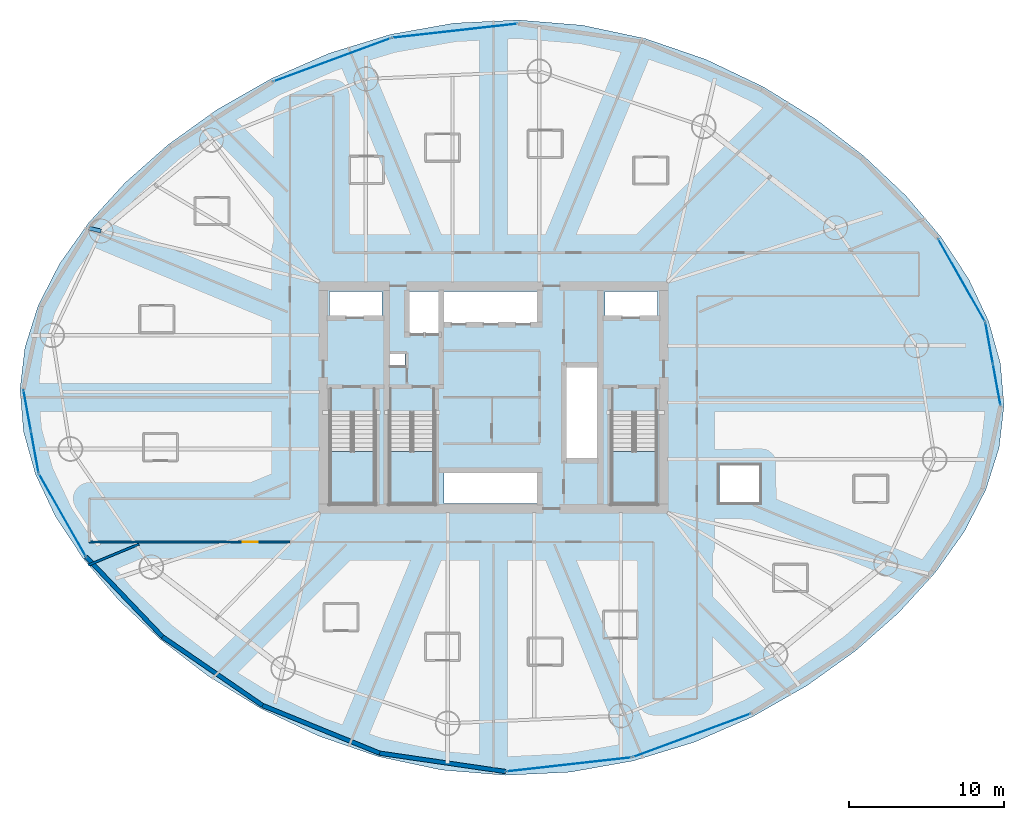
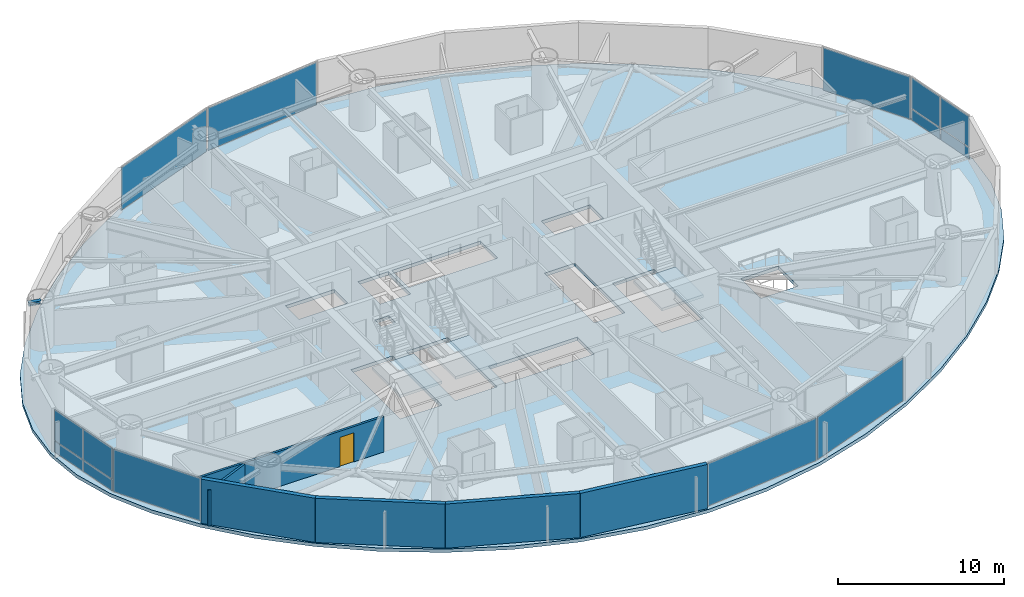
# One storey, part 18 of 27: 14 plates, 6 walls, 4 slabs, 1 beam, 1 door, 1 opening, 11 elements without a shape of their own.
"""IFC4 building model written with IfcOpenShell, lengths in metres."""

import ifcopenshell
import ifcopenshell.guid

model = None  # the IFC model being written
_history = None  # IfcOwnerHistory: only IFC2X3 demands one
_inside = {}  # id of a spatial element -> (the spatial element, [elements in it])
_under = {}  # id of a project, library or spatial element -> (it, [spatial elements below it])
_declared = {}  # id of a project -> (the project, [libraries it declares])
_typed = {}  # id of a type object -> (the type object, [elements of that type])
_made_of = {}  # id of a material, layer set ... -> (it, [elements and type objects made of it])


def new_model(schema):
    """Start an empty IFC model of exactly this schema.

    Asked for "IFC4X3", IfcOpenShell would pick the latest addendum, in which some entities
    have other attributes; the version numbers below select the first issue.
    IFC2X3 requires an IfcOwnerHistory on every rooted entity: one is made here for all.
    """
    global model, _history
    if schema == "IFC4X3":
        model = ifcopenshell.file(schema_version=(4, 3, 0, 0))
    else:
        model = ifcopenshell.file(schema=schema)
    _inside.clear()
    _under.clear()
    _declared.clear()
    _typed.clear()
    _made_of.clear()
    _history = None
    if model.schema == "IFC2X3":
        org = make("IfcOrganization", Name="unknown")
        user = make(
            "IfcPersonAndOrganization",
            ThePerson=make("IfcPerson", FamilyName="unknown"),
            TheOrganization=org,
        )
        app = make(
            "IfcApplication",
            ApplicationDeveloper=org,
            Version="unknown",
            ApplicationFullName="unknown",
            ApplicationIdentifier="unknown",
        )
        _history = make(
            "IfcOwnerHistory",
            OwningUser=user,
            OwningApplication=app,
            ChangeAction="ADDED",
            CreationDate=0,
        )
    return model


def make(cls, **values):
    """One entity of the class cls with the attributes given. An attribute that is None is left unset."""
    return model.create_entity(
        cls, **{name: value for name, value in values.items() if value is not None}
    )


def rooted(cls, **values):
    """An entity with a GlobalId (a new one), such as an element, a storey or a relation."""
    return make(cls, GlobalId=ifcopenshell.guid.new(), OwnerHistory=_history, **values)


def si_unit(unit_type, name, prefix=None):
    """IfcSIUnit, for example si_unit("LENGTHUNIT", "METRE", prefix="MILLI")."""
    return make("IfcSIUnit", UnitType=unit_type, Prefix=prefix, Name=name)


def assignment(units):
    """IfcUnitAssignment: the units of a project."""
    return None if units is None else make("IfcUnitAssignment", Units=units)


def point(xyz):
    """IfcCartesianPoint."""
    return None if xyz is None else make("IfcCartesianPoint", Coordinates=xyz)


def direction(xyz):
    """IfcDirection."""
    return None if xyz is None else make("IfcDirection", DirectionRatios=xyz)


def frame(location, z_axis=None, x_axis=None):
    """IfcAxis2Placement3D, a coordinate frame: its origin and axes. An axis left out is left unset."""
    return make(
        "IfcAxis2Placement3D",
        Location=point(location),
        Axis=direction(z_axis),
        RefDirection=direction(x_axis),
    )


def frame_2d(location, x_axis=None):
    """IfcAxis2Placement2D, a coordinate frame in the plane: its origin and x axis."""
    return make(
        "IfcAxis2Placement2D", Location=point(location), RefDirection=direction(x_axis)
    )


def origin():
    """The frame at (0, 0, 0) with its axes left unset."""
    return frame((0.0, 0.0, 0.0))


def origin_2d():
    """The frame at (0, 0) in the plane with its x axis left unset."""
    return frame_2d((0.0, 0.0))


def place(relative_to, where):
    """IfcLocalPlacement: puts the frame where relative to a parent placement (None: the world)."""
    return make(
        "IfcLocalPlacement", PlacementRelTo=relative_to, RelativePlacement=where
    )


def context(
    kind, dimensions, precision=None, world=None, true_north=None, identifier=None
):
    """IfcGeometricRepresentationContext, for example the 3D "Model" context."""
    return make(
        "IfcGeometricRepresentationContext",
        ContextIdentifier=identifier,
        ContextType=kind,
        CoordinateSpaceDimension=dimensions,
        Precision=precision,
        WorldCoordinateSystem=world,
        TrueNorth=true_north,
    )


def subcontext(parent, identifier, kind, view, scale=None):
    """IfcGeometricRepresentationSubContext, for example "Body" below "Model"."""
    return make(
        "IfcGeometricRepresentationSubContext",
        ContextIdentifier=identifier,
        ContextType=kind,
        ParentContext=parent,
        TargetScale=scale,
        TargetView=view,
    )


def project(units=None, contexts=None):
    """IfcProject with its units and contexts."""
    return rooted(
        "IfcProject",
        Name="project",
        RepresentationContexts=contexts,
        UnitsInContext=assignment(units),
    )


def spatial(cls, under=None, at=None, **own):
    """A site, building, storey or space (cls), placed at a placement, below another one or the project."""
    s = rooted(cls, ObjectPlacement=at, **own)
    if under is not None:
        _under.setdefault(under.id(), (under, []))[1].append(s)
    return s


def polyline(points):
    """IfcPolyline through the points."""
    return make("IfcPolyline", Points=[point(p) for p in points])


def profile(cls, at=None, kind="AREA", **sizes):
    """A parametric profile (cls). Its sizes go by their IFC names, for example OverallWidth=200.0."""
    return make(cls, ProfileType=kind, Position=at, **sizes)


def rectangle(**sizes):
    """IfcRectangleProfileDef."""
    return profile("IfcRectangleProfileDef", **sizes)


def i_section(**sizes):
    """IfcIShapeProfileDef."""
    return profile("IfcIShapeProfileDef", **sizes)


def outline(outer, holes=None, kind="AREA"):
    """IfcArbitraryClosedProfileDef: a profile drawn as a closed curve; with holes, ...WithVoids."""
    if holes is None:
        return make("IfcArbitraryClosedProfileDef", ProfileType=kind, OuterCurve=outer)
    return make(
        "IfcArbitraryProfileDefWithVoids",
        ProfileType=kind,
        OuterCurve=outer,
        InnerCurves=holes,
    )


def extrude(swept, where, along, depth):
    """IfcExtrudedAreaSolid: the profile swept, set in the frame where, extruded along a direction by depth."""
    return make(
        "IfcExtrudedAreaSolid",
        SweptArea=swept,
        Position=where,
        ExtrudedDirection=direction(along),
        Depth=depth,
    )


def shape(context_of_items, identifier, shape_type, items):
    """IfcShapeRepresentation: the items that make up one representation, for example the "Body"."""
    return make(
        "IfcShapeRepresentation",
        ContextOfItems=context_of_items,
        RepresentationIdentifier=identifier,
        RepresentationType=shape_type,
        Items=items,
    )


def material(Name=None, Category=None):
    """IfcMaterial."""
    return make("IfcMaterial", Name=Name, Category=Category)


def layer(
    of_material, thickness, ventilated=None, Name=None, Category=None, Priority=None
):
    """IfcMaterialLayer: one layer of a wall or slab, of a material (None: an air gap)."""
    return make(
        "IfcMaterialLayer",
        Material=of_material,
        LayerThickness=thickness,
        IsVentilated=ventilated,
        Name=Name,
        Category=Category,
        Priority=Priority,
    )


def layer_set(layers, Name=None):
    """IfcMaterialLayerSet."""
    return make("IfcMaterialLayerSet", MaterialLayers=layers, LayerSetName=Name)


def material_profile(
    of_material, cross_section, Name=None, Category=None, Priority=None
):
    """IfcMaterialProfile: a cross section and its material."""
    return make(
        "IfcMaterialProfile",
        Name=Name,
        Material=of_material,
        Profile=cross_section,
        Priority=Priority,
        Category=Category,
    )


def profile_set(profiles, Name=None, composite=None):
    """IfcMaterialProfileSet."""
    return make(
        "IfcMaterialProfileSet",
        Name=Name,
        MaterialProfiles=profiles,
        CompositeProfile=composite,
    )


def made_of(thing, what):
    """Note that an element or type object is made of a material, layer set ...; save() writes the relation."""
    if what is not None:
        _made_of.setdefault(what.id(), (what, []))[1].append(thing)
    return thing


def type_object(cls, material=None, **own):
    """A type object (cls), such as IfcWallType, which elements share."""
    return made_of(rooted(cls, **own), material)


def element(
    cls,
    number,
    at=None,
    inside=None,
    cuts=None,
    type_object=None,
    material=None,
    context=None,
    identifier="Body",
    shape_type=None,
    held_by="IfcProductDefinitionShape",
    body=None,
    shapes=None,
    **own,
):
    """One element of the class cls, such as IfcWall. Its Tag is "e" and its number.

    at: its placement. inside: the storey or other place that contains it. cuts: it is an
    opening in that element (IfcRelVoidsElement). A single representation is given by context,
    identifier, shape_type and body (its items); several are given by shapes. held_by: the class
    of the entity that holds the representations. save() writes the other relations.
    """
    e = rooted(cls, Tag="e%d" % number, ObjectPlacement=at, **own)
    if body is not None:
        shapes = [shape(context, identifier, shape_type, body)]
    if shapes is not None:
        e.Representation = make(held_by, Representations=shapes)
    if inside is not None:
        _inside.setdefault(inside.id(), (inside, []))[1].append(e)
    if cuts is not None:
        rooted(
            "IfcRelVoidsElement", RelatingBuildingElement=cuts, RelatedOpeningElement=e
        )
    if type_object is not None:
        _typed.setdefault(type_object.id(), (type_object, []))[1].append(e)
    return made_of(e, material)


def fill(opening, filler):
    """IfcRelFillsElement: the door or window that sits in an opening."""
    return rooted(
        "IfcRelFillsElement",
        RelatingOpeningElement=opening,
        RelatedBuildingElement=filler,
    )


def aggregate(whole, parts):
    """IfcRelAggregates: a whole, such as a stair, and the parts it consists of."""
    return rooted("IfcRelAggregates", RelatingObject=whole, RelatedObjects=parts)


def save(model, path):
    """Write the relations noted so far, then the file.

    IfcRelAggregates (storeys below a building ...), IfcRelContainedInSpatialStructure (elements
    in a storey), IfcRelDefinesByType, IfcRelAssociatesMaterial and IfcRelDeclares: one each for
    every whole, place, type object, material and project.
    """
    for whole, parts in _under.values():
        aggregate(whole, parts)
    for where, things in _inside.values():
        rooted(
            "IfcRelContainedInSpatialStructure",
            RelatedElements=things,
            RelatingStructure=where,
        )
    for kind, things in _typed.values():
        rooted("IfcRelDefinesByType", RelatedObjects=things, RelatingType=kind)
    for what, things in _made_of.values():
        rooted("IfcRelAssociatesMaterial", RelatedObjects=things, RelatingMaterial=what)
    for by, libraries in _declared.values():
        rooted("IfcRelDeclares", RelatingContext=by, RelatedDefinitions=libraries)
    model.write(path)


model = new_model("IFC4")

# Units and contexts
model_context = context("Model", 3, precision=1e-05, world=origin(), true_north=direction((0.0, 1.0)))
body_context = subcontext(model_context, "Body", "Model", "MODEL_VIEW")
ifc_project = project(units=[si_unit("LENGTHUNIT", "METRE"), si_unit("AREAUNIT", "SQUARE_METRE"), si_unit("VOLUMEUNIT", "CUBIC_METRE"), si_unit("PLANEANGLEUNIT", "RADIAN"), si_unit("MASSUNIT", "GRAM", prefix="KILO")], contexts=[model_context])

# Site, building, storey
site_placement = place(None, origin())
site = spatial("IfcSite", under=ifc_project, at=site_placement, CompositionType="ELEMENT")
building_placement = place(site_placement, origin())
building = spatial("IfcBuilding", under=site, at=building_placement, Name="Bramvorn Convention Spire", CompositionType="ELEMENT")
storey_placement = place(building_placement, frame((0.0, 0.0, 41.39990234375)))
storey = spatial("IfcBuildingStorey", under=building, at=storey_placement, Name="L07", CompositionType="ELEMENT", Elevation=41.39990234375)

# Beam
ifc_material_1 = material(Name="Steel CSA G40.21 Grade 350 (350W)", Category="steel")
ifc_material_profile = material_profile(ifc_material_1, i_section(OverallWidth=0.25390625, OverallDepth=0.2529296875, WebThickness=0.008544921875, FlangeThickness=0.01416015625, FilletRadius=0.011962890625, at=origin_2d()))
ifc_profile_set = profile_set([ifc_material_profile], Name="Steel CSA G40.21 Grade 350 (350W) - W250X73")
beam_type = type_object("IfcBeamType", Name="BM-W250X73", PredefinedType="BEAM", material=ifc_profile_set)
beam_placement = place(storey_placement, frame((12.64111328125, 36.746337890625, 3.12353515625), z_axis=(-0.973811938355, 0.227355027914, 0.0), x_axis=(-0.227355027914, -0.973811938355, 0.0)))
element("IfcBeam", 1, at=beam_placement, inside=storey, type_object=beam_type, Name="L07 slab-edge cantilever tip beam MC08", PredefinedType="BEAM", context=body_context, shape_type="SweptSolid", body=[
    extrude(i_section(OverallWidth=0.25390625, OverallDepth=0.2529296875, WebThickness=0.008544921875, FlangeThickness=0.01416015625, FilletRadius=0.011962890625, at=origin_2d()), origin(), (0.0, 0.0, 1.0), 0.800048828125),
])

# Curtain wall, plates
ifc_material_2 = material(Name="Anodised Bronze Unitised Curtain Wall", Category="aluminium")
ifc_layer_1 = layer(ifc_material_2, 0.179931640625)
ifc_layer_set_1 = layer_set([ifc_layer_1], Name="Anodised Bronze Unitised Curtain Wall - CW-HTL-FRIT")
curtain_wall_type = type_object("IfcCurtainWallType", Name="CW-HTL-FRIT", PredefinedType="USERDEFINED", material=ifc_layer_set_1)
curtain_wall_1_placement = place(storey_placement, origin())
curtain_wall_1 = element("IfcCurtainWall", 2, at=curtain_wall_1_placement, inside=storey, type_object=curtain_wall_type, Name="L07 fritted glass curtain wall 01", ObjectType="UNITISED CURTAIN WALL", PredefinedType="USERDEFINED")
ifc_material_3 = material(Name="Laminated Low-E Glass (Triple IGU Bronze Ceramic Frit 35%)", Category="glass")
ifc_layer_2 = layer(ifc_material_3, 0.035888671875)
ifc_layer_set_2 = layer_set([ifc_layer_2], Name="Laminated Low-E Glass (Triple IGU Bronze Ceramic Frit 35%) - PNL-IGU-1")
plate_type = type_object("IfcPlateType", Name="PNL-IGU-1", PredefinedType="CURTAIN_PANEL", material=ifc_layer_set_2)
plate_1_placement = place(storey_placement, frame((70.038330078125, 29.497802734375, 0.06005859375), z_axis=(0.0, 0.0, 1.0), x_axis=(0.179447270894, -0.983767592965, 0.0)))
plate_1 = element("IfcPlate", 3, at=plate_1_placement, type_object=plate_type, Name="CW2 panel 1.1", PredefinedType="CURTAIN_PANEL", context=body_context, shape_type="SweptSolid", body=[
    extrude(rectangle(XDim=2.65869140625, YDim=0.028076171875, at=origin_2d()), origin(), (0.0, 0.0, 1.0), 0.81005859375),
])
plate_2_placement = place(storey_placement, frame((70.038330078125, 29.497802734375, 0.93017578125), z_axis=(0.0, 0.0, 1.0), x_axis=(0.179447270894, -0.983767592965, 0.0)))
plate_2 = element("IfcPlate", 4, at=plate_2_placement, type_object=plate_type, Name="CW2 panel 1.2", PredefinedType="CURTAIN_PANEL", context=body_context, shape_type="SweptSolid", body=[
    extrude(rectangle(XDim=2.65869140625, YDim=0.028076171875, at=origin_2d()), origin(), (0.0, 0.0, 1.0), 2.260009765625),
])
plate_3_placement = place(storey_placement, frame((70.526123046875, 26.8232421875, 0.06005859375), z_axis=(0.0, 0.0, 1.0), x_axis=(0.179447270894, -0.983767592965, 0.0)))
plate_3 = element("IfcPlate", 5, at=plate_3_placement, type_object=plate_type, Name="CW2 panel 2.1", PredefinedType="CURTAIN_PANEL", context=body_context, shape_type="SweptSolid", body=[
    extrude(rectangle(XDim=2.65869140625, YDim=0.028076171875, at=origin_2d()), origin(), (0.0, 0.0, 1.0), 0.81005859375),
])
plate_4_placement = place(storey_placement, frame((70.526123046875, 26.8232421875, 0.93017578125), z_axis=(0.0, 0.0, 1.0), x_axis=(0.179447270894, -0.983767592965, 0.0)))
plate_4 = element("IfcPlate", 6, at=plate_4_placement, type_object=plate_type, Name="CW2 panel 2.2", PredefinedType="CURTAIN_PANEL", context=body_context, shape_type="SweptSolid", body=[
    extrude(rectangle(XDim=2.65869140625, YDim=0.028076171875, at=origin_2d()), origin(), (0.0, 0.0, 1.0), 2.260009765625),
])
aggregate(curtain_wall_1, [plate_1, plate_2, plate_3, plate_4])

# Curtain wall, plate
curtain_wall_2_placement = place(storey_placement, origin())
curtain_wall_2 = element("IfcCurtainWall", 7, at=curtain_wall_2_placement, inside=storey, type_object=curtain_wall_type, Name="L07 fritted glass curtain wall 02", ObjectType="UNITISED CURTAIN WALL", PredefinedType="USERDEFINED")
plate_5_placement = place(storey_placement, frame((68.256103515625, 33.566162109375, 0.06005859375), z_axis=(0.0, 0.0, 1.0), x_axis=(0.49350679566, -0.869741940254, 0.0)))
plate_5 = element("IfcPlate", 8, at=plate_5_placement, type_object=plate_type, Name="CW2 panel 1.1", PredefinedType="CURTAIN_PANEL", context=body_context, shape_type="SweptSolid", body=[
    extrude(rectangle(XDim=6.092041015625, YDim=0.028076171875, at=origin_2d()), origin(), (0.0, 0.0, 1.0), 3.1298828125),
])
aggregate(curtain_wall_2, [plate_5])

curtain_wall_3_placement = place(storey_placement, origin())
curtain_wall_3 = element("IfcCurtainWall", 9, at=curtain_wall_3_placement, inside=storey, type_object=curtain_wall_type, Name="L07 fritted glass curtain wall 07", ObjectType="UNITISED CURTAIN WALL", PredefinedType="USERDEFINED")
plate_6_placement = place(storey_placement, frame((35.505615234375, 49.6875, 0.06005859375), z_axis=(0.0, 0.0, 1.0), x_axis=(0.993755069109, 0.111583433445, 0.0)))
plate_6 = element("IfcPlate", 10, at=plate_6_placement, type_object=plate_type, Name="CW2 panel 1.1", PredefinedType="CURTAIN_PANEL", context=body_context, shape_type="SweptSolid", body=[
    extrude(rectangle(XDim=8.121337890625, YDim=0.028076171875, at=origin_2d()), origin(), (0.0, 0.0, 1.0), 3.1298828125),
])
aggregate(curtain_wall_3, [plate_6])

curtain_wall_4_placement = place(storey_placement, origin())
curtain_wall_4 = element("IfcCurtainWall", 11, at=curtain_wall_4_placement, inside=storey, type_object=curtain_wall_type, Name="L07 fritted glass curtain wall 08", ObjectType="UNITISED CURTAIN WALL", PredefinedType="USERDEFINED")
plate_7_placement = place(storey_placement, frame((27.578369140625, 47.811767578125, 0.06005859375), z_axis=(0.0, 0.0, 1.0), x_axis=(0.938031606342, 0.346549715774, 0.0)))
plate_7 = element("IfcPlate", 12, at=plate_7_placement, type_object=plate_type, Name="CW2 panel 1.1", PredefinedType="CURTAIN_PANEL", context=body_context, shape_type="SweptSolid", body=[
    extrude(rectangle(XDim=8.05078125, YDim=0.028076171875, at=origin_2d()), origin(), (0.0, 0.0, 1.0), 3.1298828125),
])
aggregate(curtain_wall_4, [plate_7])

# Curtain wall, plates
curtain_wall_5_placement = place(storey_placement, origin())
curtain_wall_5 = element("IfcCurtainWall", 13, at=curtain_wall_5_placement, inside=storey, type_object=curtain_wall_type, Name="L07 fritted glass curtain wall 13", ObjectType="UNITISED CURTAIN WALL", PredefinedType="USERDEFINED")
plate_8_placement = place(storey_placement, frame((8.361328125, 22.46240234375, 0.06005859375), z_axis=(0.0, 0.0, 1.0), x_axis=(-0.179447270894, 0.983767592965, 0.0)))
plate_8 = element("IfcPlate", 14, at=plate_8_placement, type_object=plate_type, Name="CW2 panel 1.1", PredefinedType="CURTAIN_PANEL", context=body_context, shape_type="SweptSolid", body=[
    extrude(rectangle(XDim=2.65869140625, YDim=0.028076171875, at=origin_2d()), origin(), (0.0, 0.0, 1.0), 0.81005859375),
])
plate_9_placement = place(storey_placement, frame((8.361328125, 22.46240234375, 0.93017578125), z_axis=(0.0, 0.0, 1.0), x_axis=(-0.179447270894, 0.983767592965, 0.0)))
plate_9 = element("IfcPlate", 15, at=plate_9_placement, type_object=plate_type, Name="CW2 panel 1.2", PredefinedType="CURTAIN_PANEL", context=body_context, shape_type="SweptSolid", body=[
    extrude(rectangle(XDim=2.65869140625, YDim=0.028076171875, at=origin_2d()), origin(), (0.0, 0.0, 1.0), 2.260009765625),
])
plate_10_placement = place(storey_placement, frame((7.87353515625, 25.136962890625, 0.06005859375), z_axis=(0.0, 0.0, 1.0), x_axis=(-0.179447270894, 0.983767592965, 0.0)))
plate_10 = element("IfcPlate", 16, at=plate_10_placement, type_object=plate_type, Name="CW2 panel 2.1", PredefinedType="CURTAIN_PANEL", context=body_context, shape_type="SweptSolid", body=[
    extrude(rectangle(XDim=2.65869140625, YDim=0.028076171875, at=origin_2d()), origin(), (0.0, 0.0, 1.0), 0.81005859375),
])
plate_11_placement = place(storey_placement, frame((7.87353515625, 25.136962890625, 0.93017578125), z_axis=(0.0, 0.0, 1.0), x_axis=(-0.179447270894, 0.983767592965, 0.0)))
plate_11 = element("IfcPlate", 17, at=plate_11_placement, type_object=plate_type, Name="CW2 panel 2.2", PredefinedType="CURTAIN_PANEL", context=body_context, shape_type="SweptSolid", body=[
    extrude(rectangle(XDim=2.65869140625, YDim=0.028076171875, at=origin_2d()), origin(), (0.0, 0.0, 1.0), 2.260009765625),
])
aggregate(curtain_wall_5, [plate_8, plate_9, plate_10, plate_11])

# Curtain wall, plate
curtain_wall_6_placement = place(storey_placement, origin())
curtain_wall_6 = element("IfcCurtainWall", 18, at=curtain_wall_6_placement, inside=storey, type_object=curtain_wall_type, Name="L07 fritted glass curtain wall 14", ObjectType="UNITISED CURTAIN WALL", PredefinedType="USERDEFINED")
plate_12_placement = place(storey_placement, frame((10.1435546875, 18.39404296875, 0.06005859375), z_axis=(0.0, 0.0, 1.0), x_axis=(-0.49350679566, 0.869741940254, 0.0)))
plate_12 = element("IfcPlate", 19, at=plate_12_placement, type_object=plate_type, Name="CW2 panel 1.1", PredefinedType="CURTAIN_PANEL", context=body_context, shape_type="SweptSolid", body=[
    extrude(rectangle(XDim=6.092041015625, YDim=0.028076171875, at=origin_2d()), origin(), (0.0, 0.0, 1.0), 3.1298828125),
])
aggregate(curtain_wall_6, [plate_12])

curtain_wall_7_placement = place(storey_placement, origin())
curtain_wall_7 = element("IfcCurtainWall", 20, at=curtain_wall_7_placement, inside=storey, type_object=curtain_wall_type, Name="L07 fritted glass curtain wall 19", ObjectType="UNITISED CURTAIN WALL", PredefinedType="USERDEFINED")
plate_13_placement = place(storey_placement, frame((42.89404296875, 2.272705078125, 0.06005859375), z_axis=(0.0, 0.0, 1.0), x_axis=(-0.993755069109, -0.111583433445, 0.0)))
plate_13 = element("IfcPlate", 21, at=plate_13_placement, type_object=plate_type, Name="CW2 panel 1.1", PredefinedType="CURTAIN_PANEL", context=body_context, shape_type="SweptSolid", body=[
    extrude(rectangle(XDim=8.121337890625, YDim=0.028076171875, at=origin_2d()), origin(), (0.0, 0.0, 1.0), 3.1298828125),
])
aggregate(curtain_wall_7, [plate_13])

curtain_wall_8_placement = place(storey_placement, origin())
curtain_wall_8 = element("IfcCurtainWall", 22, at=curtain_wall_8_placement, inside=storey, type_object=curtain_wall_type, Name="L07 fritted glass curtain wall 20", ObjectType="UNITISED CURTAIN WALL", PredefinedType="USERDEFINED")
plate_14_placement = place(storey_placement, frame((50.8212890625, 4.1484375, 0.06005859375), z_axis=(0.0, 0.0, 1.0), x_axis=(-0.938031606342, -0.346549715774, 0.0)))
plate_14 = element("IfcPlate", 23, at=plate_14_placement, type_object=plate_type, Name="CW2 panel 1.1", PredefinedType="CURTAIN_PANEL", context=body_context, shape_type="SweptSolid", body=[
    extrude(rectangle(XDim=8.05078125, YDim=0.028076171875, at=origin_2d()), origin(), (0.0, 0.0, 1.0), 3.1298828125),
])
aggregate(curtain_wall_8, [plate_14])

# Stair, slab
ifc_material_4 = material(Name="Concrete C40/50 Precast Stair", Category="concrete")
stair_type = type_object("IfcStairType", Name="ST-TOWER-1550", PredefinedType="HALF_TURN_STAIR", material=ifc_material_4)
stair_1_placement = place(storey_placement, origin())
stair_1 = element("IfcStair", 24, at=stair_1_placement, inside=storey, type_object=stair_type, Name="L07 Protected Exit Stair ST1", PredefinedType="HALF_TURN_STAIR")
ifc_material_5 = material(Name="Concrete C40/50 Stair Landing", Category="concrete")
ifc_layer_3 = layer(ifc_material_5, 0.219970703125)
ifc_layer_set_3 = layer_set([ifc_layer_3], Name="Concrete C40/50 Stair Landing - SLB-STAIR-LANDING")
slab_type_1 = type_object("IfcSlabType", Name="SLB-STAIR-LANDING", PredefinedType="LANDING", material=ifc_layer_set_3)
slab_1_placement = place(storey_placement, frame((0.0, 0.0, 1.550048828125)))
slab_1 = element("IfcSlab", 25, at=slab_1_placement, type_object=slab_type_1, Name="ST1 landing 1", PredefinedType="LANDING", context=body_context, shape_type="SweptSolid", body=[
    extrude(outline(polyline([(27.449951171875, 22.485107421875), (27.449951171875, 19.10009765625), (30.35009765625, 19.10009765625), (30.35009765625, 22.485107421875), (27.449951171875, 22.485107421875)])), origin(), (0.0, 0.0, 1.0), 0.199951171875),
])
aggregate(stair_1, [slab_1])

stair_2_placement = place(storey_placement, origin())
stair_2 = element("IfcStair", 26, at=stair_2_placement, inside=storey, type_object=stair_type, Name="L07 Protected Exit Stair ST2", PredefinedType="HALF_TURN_STAIR")
slab_2_placement = place(storey_placement, frame((0.0, 0.0, 1.550048828125)))
slab_2 = element("IfcSlab", 27, at=slab_2_placement, type_object=slab_type_1, Name="ST2 landing 1", PredefinedType="LANDING", context=body_context, shape_type="SweptSolid", body=[
    extrude(outline(polyline([(45.64990234375, 22.485107421875), (45.64990234375, 19.10009765625), (48.550048828125, 19.10009765625), (48.550048828125, 22.485107421875), (45.64990234375, 22.485107421875)])), origin(), (0.0, 0.0, 1.0), 0.199951171875),
])
aggregate(stair_2, [slab_2])

stair_3_placement = place(storey_placement, origin())
stair_3 = element("IfcStair", 28, at=stair_3_placement, inside=storey, type_object=stair_type, Name="L07 Protected Exit Stair ST3", PredefinedType="HALF_TURN_STAIR")
slab_3_placement = place(storey_placement, frame((0.0, 0.0, 1.550048828125)))
slab_3 = element("IfcSlab", 29, at=slab_3_placement, type_object=slab_type_1, Name="ST3 landing 1", PredefinedType="LANDING", context=body_context, shape_type="SweptSolid", body=[
    extrude(outline(polyline([(31.300048828125, 22.485107421875), (31.300048828125, 19.10009765625), (34.199951171875, 19.10009765625), (34.199951171875, 22.485107421875), (31.300048828125, 22.485107421875)])), origin(), (0.0, 0.0, 1.0), 0.199951171875),
])
aggregate(stair_3, [slab_3])

# Slab
ifc_material_6 = material(Name="Concrete C50/60", Category="concrete")
ifc_layer_4 = layer(ifc_material_6, 0.25)
ifc_layer_set_4 = layer_set([ifc_layer_4], Name="Concrete C50/60 - SLB-Z1-250")
slab_type_2 = type_object("IfcSlabType", Name="SLB-Z1-250", PredefinedType="FLOOR", material=ifc_layer_set_4)
slab_4_placement = place(storey_placement, frame((0.0, 0.0, -0.25)))
element("IfcSlab", 30, at=slab_4_placement, inside=storey, type_object=slab_type_2, Name="L07 tower floor slab", PredefinedType="FLOOR", context=body_context, shape_type="SweptSolid", body=[
    extrude(outline(polyline([(70.99560546875, 25.452880859375), (70.7685546875, 28.178955078125), (70.002197265625, 30.9140625), (68.71044921875, 33.6513671875), (66.91552734375, 36.3701171875), (64.6484375, 39.033203125), (61.94775390625, 41.585693359375), (58.859130859375, 43.957763671875), (55.43505859375, 46.068603515625), (51.7333984375, 47.836181640625), (47.816162109375, 49.182861328125), (43.750244140625, 50.046142578125), (39.6044921875, 50.384765625), (35.449951171875, 50.18359375), (31.357421875, 49.455810546875), (27.39794921875, 48.239501953125), (23.639404296875, 46.595947265625), (20.147216796875, 44.599609375), (16.98193359375, 42.331298828125), (14.197998046875, 39.86962890625), (11.843994140625, 37.283203125), (9.959716796875, 34.62548828125), (8.577880859375, 31.9326171875), (7.721435546875, 29.224365234375), (7.404296875, 26.50732421875), (7.631103515625, 23.78125), (8.3974609375, 21.046142578125), (9.689208984375, 18.308837890625), (11.484130859375, 15.590087890625), (13.751220703125, 12.927001953125), (16.451904296875, 10.37451171875), (19.54052734375, 8.002685546875), (22.964599609375, 5.8916015625), (26.66650390625, 4.1240234375), (30.58349609375, 2.77734375), (34.6494140625, 1.9140625), (38.795166015625, 1.575439453125), (42.94970703125, 1.776611328125), (47.0419921875, 2.50439453125), (51.001708984375, 3.720703125), (54.76025390625, 5.3642578125), (58.25244140625, 7.360595703125), (61.417724609375, 9.62890625), (64.20166015625, 12.090576171875), (66.555908203125, 14.677001953125), (68.43994140625, 17.334716796875), (69.82177734375, 20.027587890625), (70.67822265625, 22.73583984375), (70.99560546875, 25.452880859375)]), holes=[polyline([(27.449951171875, 25.050048828125), (27.449951171875, 19.10009765625), (30.35009765625, 19.10009765625), (30.35009765625, 25.050048828125), (27.449951171875, 25.050048828125)]), polyline([(45.64990234375, 25.050048828125), (45.64990234375, 19.10009765625), (48.550048828125, 19.10009765625), (48.550048828125, 25.050048828125), (45.64990234375, 25.050048828125)]), polyline([(31.300048828125, 25.050048828125), (31.300048828125, 19.10009765625), (34.199951171875, 19.10009765625), (34.199951171875, 25.050048828125), (31.300048828125, 25.050048828125)]), polyline([(27.39990234375, 31.219970703125), (30.800048828125, 31.219970703125), (30.800048828125, 32.85009765625), (27.39990234375, 32.85009765625), (27.39990234375, 31.219970703125)]), polyline([(45.199951171875, 31.219970703125), (48.60009765625, 31.219970703125), (48.60009765625, 32.85009765625), (45.199951171875, 32.85009765625), (45.199951171875, 31.219970703125)]), polyline([(32.449951171875, 30.14990234375), (34.56005859375, 30.14990234375), (34.56005859375, 32.85009765625), (32.449951171875, 32.85009765625), (32.449951171875, 30.14990234375)]), polyline([(34.800048828125, 30.800048828125), (40.97998046875, 30.800048828125), (40.97998046875, 32.85009765625), (34.800048828125, 32.85009765625), (34.800048828125, 30.800048828125)]), polyline([(34.800048828125, 19.14990234375), (40.97998046875, 19.14990234375), (40.97998046875, 21.199951171875), (34.800048828125, 21.199951171875), (34.800048828125, 19.14990234375)]), polyline([(42.6201171875, 22.0), (44.75, 22.0), (44.75, 28.0), (42.6201171875, 28.0), (42.6201171875, 22.0)]), polyline([(31.320068359375, 28.02001953125), (32.280029296875, 28.02001953125), (32.280029296875, 28.820068359375), (31.320068359375, 28.820068359375), (31.320068359375, 28.02001953125)]), polyline([(52.60009765625, 19.199951171875), (55.199951171875, 19.199951171875), (55.199951171875, 21.60009765625), (52.60009765625, 21.60009765625), (52.60009765625, 19.199951171875)])]), origin(), (0.0, 0.0, 1.0), 0.25),
])

# Walls
ifc_material_7 = material(Name="Precast Concrete C40/50 with Bronze Terracotta Rainscreen", Category="masonry")
ifc_layer_5 = layer(ifc_material_7, 0.300048828125)
ifc_layer_set_5 = layer_set([ifc_layer_5], Name="Precast Concrete C40/50 with Bronze Terracotta Rainscreen - WL-EXT-BRONZE-300")
wall_type_1 = type_object("IfcWallType", Name="WL-EXT-BRONZE-300", PredefinedType="SOLIDWALL", material=ifc_layer_set_5)
wall_1_placement = place(storey_placement, frame((16.610107421875, 10.527587890625, 0.0), z_axis=(0.0, 0.0, 1.0), x_axis=(-0.690719589941, 0.723122706096, 0.0)))
element("IfcWall", 31, at=wall_1_placement, inside=storey, type_object=wall_type_1, Name="L07 expressed bronze Gothic lancet pier wall 15", PredefinedType="SOLIDWALL", context=body_context, shape_type="SweptSolid", body=[
    extrude(rectangle(XDim=7.142578125, YDim=0.280029296875, at=frame_2d((3.5712890625, 0.0))), origin(), (0.0, 0.0, 1.0), 3.25),
])
wall_2_placement = place(storey_placement, frame((23.077880859375, 6.087890625, 0.0), z_axis=(0.0, 0.0, 1.0), x_axis=(-0.824452139249, 0.565931683234, 0.0)))
element("IfcWall", 32, at=wall_2_placement, inside=storey, type_object=wall_type_1, Name="L07 expressed bronze Gothic lancet pier wall 16", PredefinedType="SOLIDWALL", context=body_context, shape_type="SweptSolid", body=[
    extrude(rectangle(XDim=7.844970703125, YDim=0.280029296875, at=frame_2d((3.92236328125, 0.0))), origin(), (0.0, 0.0, 1.0), 3.25),
])
wall_3_placement = place(storey_placement, frame((30.644287109375, 3.003662109375, 0.0), z_axis=(0.0, 0.0, 1.0), x_axis=(-0.926023129378, 0.377466771858, 0.0)))
element("IfcWall", 33, at=wall_3_placement, inside=storey, type_object=wall_type_1, Name="L07 expressed bronze Gothic lancet pier wall 17", PredefinedType="SOLIDWALL", context=body_context, shape_type="SweptSolid", body=[
    extrude(rectangle(XDim=8.1708984375, YDim=0.280029296875, at=frame_2d((4.08544921875, 0.0))), origin(), (0.0, 0.0, 1.0), 3.25),
])
wall_4_placement = place(storey_placement, frame((38.799072265625, 1.81298828125, 0.0), z_axis=(0.0, 0.0, 1.0), x_axis=(-0.989508113773, 0.14447730887, 0.0)))
element("IfcWall", 34, at=wall_4_placement, inside=storey, type_object=wall_type_1, Name="L07 expressed bronze Gothic lancet pier wall 18", PredefinedType="SOLIDWALL", context=body_context, shape_type="SweptSolid", body=[
    extrude(rectangle(XDim=8.2412109375, YDim=0.280029296875, at=frame_2d((4.12060546875, 0.0))), origin(), (0.0, 0.0, 1.0), 3.25),
])

# Wall, opening, door
ifc_material_8 = material(Name="Acoustic Metal-Stud Tenant/Corridor Partition", Category="gypsum")
ifc_layer_6 = layer(ifc_material_8, 0.14990234375)
ifc_layer_set_6 = layer_set([ifc_layer_6], Name="Acoustic Metal-Stud Tenant/Corridor Partition - WL-PART-150")
wall_type_2 = type_object("IfcWallType", Name="WL-PART-150", PredefinedType="PARTITIONING", material=ifc_layer_set_6)
wall_5_placement = place(storey_placement, frame((11.87353515625, 16.64990234375, 0.0), z_axis=(0.0, 0.0, 1.0), x_axis=(1.0, 0.0, 0.0)))
wall_5 = element("IfcWall", 35, at=wall_5_placement, inside=storey, type_object=wall_type_2, Name="L07 SW pinwheel wing south wall", PredefinedType="PARTITIONING", context=body_context, shape_type="SweptSolid", body=[
    extrude(rectangle(XDim=12.9765625, YDim=0.14990234375, at=frame_2d((6.48828125, 0.0))), origin(), (0.0, 0.0, 1.0), 2.60009765625),
])
opening_placement = place(wall_5_placement, frame((9.9365234375, 0.0, 0.0)))
opening = element("IfcOpeningElement", 36, at=opening_placement, cuts=wall_5, Name="Opening DH-095", PredefinedType="OPENING", context=body_context, shape_type="SweptSolid", body=[
    extrude(rectangle(XDim=0.949951171875, YDim=2.14990234375, at=frame_2d((0.47509765625, 1.074951171875))), frame((0.0, 0.0849609375, 0.0), z_axis=(0.0, -1.0, 0.0), x_axis=(1.0, 0.0, 0.0)), (0.0, 0.0, 1.0), 0.169921875),
])
ifc_material_9 = material(Name="Solid-Core Acoustic Guestroom Entry Door", Category="wood")
door_type = type_object("IfcDoorType", Name="DR-HOTEL-950", OperationType="NOTDEFINED", PredefinedType="DOOR", material=ifc_material_9)
door_placement = place(opening_placement, origin())
door = element("IfcDoor", 37, at=door_placement, inside=storey, type_object=door_type, Name="Hotel Suite 0710 entry door", OperationType="SINGLE_SWING_LEFT", OverallHeight=2.14990234375, OverallWidth=0.949951171875, PredefinedType="DOOR", context=body_context, shape_type="SweptSolid", body=[
    extrude(rectangle(XDim=0.949951171875, YDim=2.14990234375, at=frame_2d((0.47509765625, 1.074951171875))), frame((0.0, 0.02490234375, 0.0), z_axis=(0.0, -1.0, 0.0), x_axis=(1.0, 0.0, 0.0)), (0.0, 0.0, 1.0), 0.050048828125),
])
fill(opening, door)

# Wall
wall_6_placement = place(storey_placement, frame((15.089111328125, 16.510009765625, 0.0), z_axis=(0.0, 0.0, 1.0), x_axis=(-0.923882422403, -0.382676455475, 0.0)))
element("IfcWall", 38, at=wall_6_placement, inside=storey, type_object=wall_type_2, Name="L07 Guestroom demising wall 10", PredefinedType="PARTITIONING", context=body_context, shape_type="SweptSolid", body=[
    extrude(rectangle(XDim=3.5419921875, YDim=0.14990234375, at=frame_2d((1.77099609375, 0.0))), origin(), (0.0, 0.0, 1.0), 2.60009765625),
])

save(model, "model.ifc")
